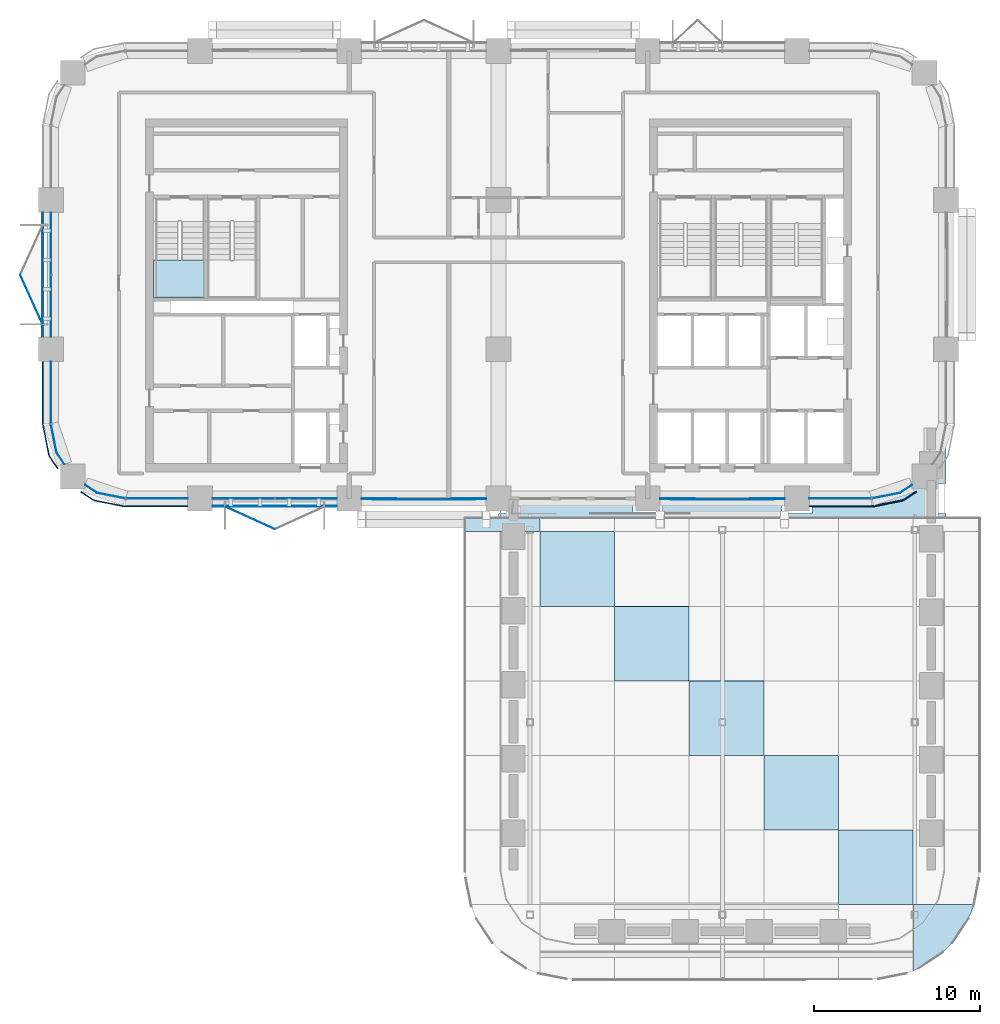
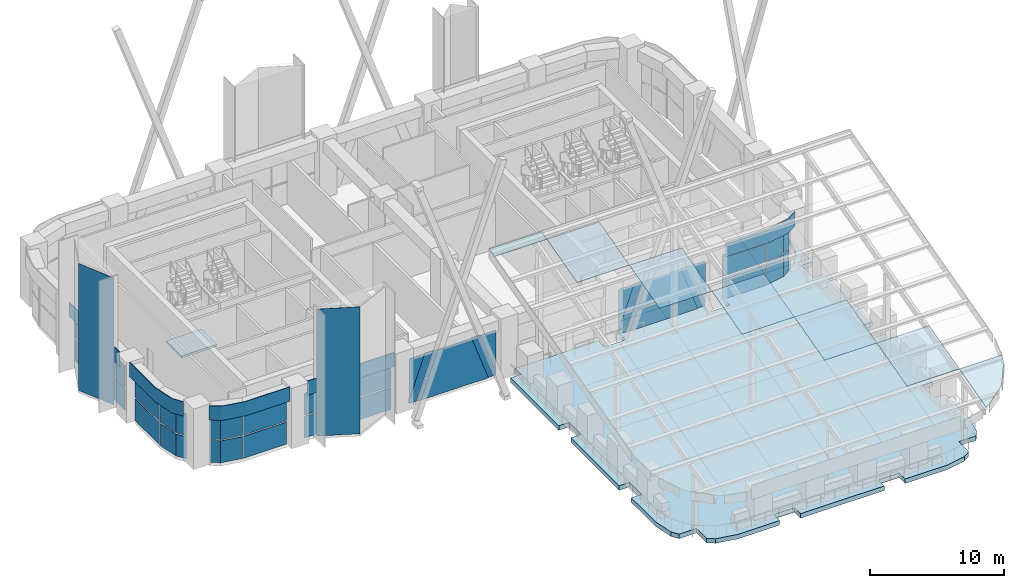
# One storey, part 10 of 22: 44 plates, 2 slabs, 8 elements without a shape of their own.
"""IFC4 building model written with IfcOpenShell, lengths in metres."""

from ifc_helpers import new_model, si_unit, direction, frame, origin, origin_2d, place, context, subcontext, project, spatial, polyline, rectangle, outline, extrude, material, layer, layer_set, type_object, element, aggregate, save


model = new_model("IFC4")

# Units and contexts
model_context = context("Model", 3, precision=1e-05, world=origin(), true_north=direction((0.0, 1.0)))
body_context = subcontext(model_context, "Body", "Model", "MODEL_VIEW")
ifc_project = project(units=[si_unit("LENGTHUNIT", "METRE"), si_unit("AREAUNIT", "SQUARE_METRE"), si_unit("VOLUMEUNIT", "CUBIC_METRE"), si_unit("PLANEANGLEUNIT", "RADIAN"), si_unit("MASSUNIT", "GRAM", prefix="KILO")], contexts=[model_context])

# Site, building, storey
site_placement = place(None, origin())
site = spatial("IfcSite", under=ifc_project, at=site_placement, CompositionType="ELEMENT")
building_placement = place(site_placement, origin())
building = spatial("IfcBuilding", under=site, at=building_placement, Name="Tessera Arch", CompositionType="ELEMENT")
storey_placement = place(building_placement, frame((0.0, 0.0, 129.39990234375)))
storey = spatial("IfcBuildingStorey", under=building, at=storey_placement, Name="L30", CompositionType="ELEMENT", Elevation=129.39990234375)

# Curtain wall, plates
ifc_material_1 = material(Name="CW1 curtain wall")
curtain_wall_type_1 = type_object("IfcCurtainWallType", Name="CW1 curtain wall", PredefinedType="NOTDEFINED", material=ifc_material_1)
curtain_wall_1_placement = place(storey_placement, origin())
curtain_wall_1 = element("IfcCurtainWall", 1, at=curtain_wall_1_placement, inside=storey, type_object=curtain_wall_type_1, Name="CW1 curtain wall W0.27/1 L30", PredefinedType="NOTDEFINED")
ifc_material_2 = material(Name="Clear low-e glass", Category="glass")
ifc_material_3 = material(Name="Clear low-e glass", Category="glass")
ifc_layer_1 = layer(ifc_material_3, 0.028076171875)
ifc_layer_set_1 = layer_set([ifc_layer_1], Name="CW1 glass panel")
plate_type_1 = type_object("IfcPlateType", Name="CW1 glass panel", PredefinedType="CURTAIN_PANEL", material=ifc_layer_set_1)
plate_1_placement = place(storey_placement, frame((0.0, 42.389892578125, 0.0), z_axis=(0.0, 0.0, 1.0), x_axis=(0.0, -1.0, 0.0)))
plate_1 = element("IfcPlate", 2, at=plate_1_placement, type_object=plate_type_1, material=ifc_material_2, Name="CW1 glass panel W0.27/1 1.1.1", PredefinedType="CURTAIN_PANEL", context=body_context, shape_type="SweptSolid", body=[
    extrude(rectangle(XDim=3.719970703125, YDim=0.028076171875, at=origin_2d()), origin(), (0.0, 0.0, 1.0), 2.0),
])
plate_2_placement = place(storey_placement, frame((0.0, 42.389892578125, 2.10009765625), z_axis=(0.0, 0.0, 1.0), x_axis=(0.0, -1.0, 0.0)))
plate_2 = element("IfcPlate", 3, at=plate_2_placement, type_object=plate_type_1, material=ifc_material_2, Name="CW1 glass panel W0.27/1 1.1.2", PredefinedType="CURTAIN_PANEL", context=body_context, shape_type="SweptSolid", body=[
    extrude(rectangle(XDim=3.719970703125, YDim=0.028076171875, at=origin_2d()), origin(), (0.0, 0.0, 1.0), 2.0),
])
plate_3_placement = place(storey_placement, frame((0.0, 38.610107421875, 0.0), z_axis=(0.0, 0.0, 1.0), x_axis=(0.0, -1.0, 0.0)))
plate_3 = element("IfcPlate", 4, at=plate_3_placement, type_object=plate_type_1, material=ifc_material_2, Name="CW1 glass panel W0.27/1 1.2.1", PredefinedType="CURTAIN_PANEL", context=body_context, shape_type="SweptSolid", body=[
    extrude(rectangle(XDim=3.719970703125, YDim=0.028076171875, at=origin_2d()), origin(), (0.0, 0.0, 1.0), 2.0),
])
plate_4_placement = place(storey_placement, frame((0.0, 38.610107421875, 2.10009765625), z_axis=(0.0, 0.0, 1.0), x_axis=(0.0, -1.0, 0.0)))
plate_4 = element("IfcPlate", 5, at=plate_4_placement, type_object=plate_type_1, material=ifc_material_2, Name="CW1 glass panel W0.27/1 1.2.2", PredefinedType="CURTAIN_PANEL", context=body_context, shape_type="SweptSolid", body=[
    extrude(rectangle(XDim=3.719970703125, YDim=0.028076171875, at=origin_2d()), origin(), (0.0, 0.0, 1.0), 2.0),
])

curtain_wall_2_placement = place(storey_placement, origin())
curtain_wall_2 = element("IfcCurtainWall", 6, at=curtain_wall_2_placement, inside=storey, type_object=curtain_wall_type_1, Name="CW1 curtain wall S27.0/1 L30", PredefinedType="NOTDEFINED")
plate_5_placement = place(storey_placement, frame((11.610107421875, 27.0, 0.0), z_axis=(0.0, 0.0, 1.0), x_axis=(1.0, 0.0, 0.0)))
plate_5 = element("IfcPlate", 7, at=plate_5_placement, type_object=plate_type_1, material=ifc_material_2, Name="CW1 glass panel S27.0/1 1.1.1", PredefinedType="CURTAIN_PANEL", context=body_context, shape_type="SweptSolid", body=[
    extrude(rectangle(XDim=3.719970703125, YDim=0.028076171875, at=origin_2d()), origin(), (0.0, 0.0, 1.0), 2.0),
])
plate_6_placement = place(storey_placement, frame((11.610107421875, 27.0, 2.10009765625), z_axis=(0.0, 0.0, 1.0), x_axis=(1.0, 0.0, 0.0)))
plate_6 = element("IfcPlate", 8, at=plate_6_placement, type_object=plate_type_1, material=ifc_material_2, Name="CW1 glass panel S27.0/1 1.1.2", PredefinedType="CURTAIN_PANEL", context=body_context, shape_type="SweptSolid", body=[
    extrude(rectangle(XDim=3.719970703125, YDim=0.028076171875, at=origin_2d()), origin(), (0.0, 0.0, 1.0), 2.0),
])
plate_7_placement = place(storey_placement, frame((15.389892578125, 27.0, 0.0), z_axis=(0.0, 0.0, 1.0), x_axis=(1.0, 0.0, 0.0)))
plate_7 = element("IfcPlate", 9, at=plate_7_placement, type_object=plate_type_1, material=ifc_material_2, Name="CW1 glass panel S27.0/1 1.2.1", PredefinedType="CURTAIN_PANEL", context=body_context, shape_type="SweptSolid", body=[
    extrude(rectangle(XDim=3.719970703125, YDim=0.028076171875, at=origin_2d()), origin(), (0.0, 0.0, 1.0), 2.0),
])
plate_8_placement = place(storey_placement, frame((15.389892578125, 27.0, 2.10009765625), z_axis=(0.0, 0.0, 1.0), x_axis=(1.0, 0.0, 0.0)))
plate_8 = element("IfcPlate", 10, at=plate_8_placement, type_object=plate_type_1, material=ifc_material_2, Name="CW1 glass panel S27.0/1 1.2.2", PredefinedType="CURTAIN_PANEL", context=body_context, shape_type="SweptSolid", body=[
    extrude(rectangle(XDim=3.719970703125, YDim=0.028076171875, at=origin_2d()), origin(), (0.0, 0.0, 1.0), 2.0),
])

# Plate
ifc_material_4 = material(Name="Pale anodised aluminium panel", Category="aluminium")
ifc_layer_2 = layer(ifc_material_4, 0.06005859375)
ifc_layer_set_2 = layer_set([ifc_layer_2], Name="CW1 spandrel panel")
plate_type_2 = type_object("IfcPlateType", Name="CW1 spandrel panel", PredefinedType="CURTAIN_PANEL", material=ifc_layer_set_2)
plate_9_placement = place(storey_placement, frame((-0.47998046875, 40.5, 4.2001953125), z_axis=(0.0, 0.0, 1.0), x_axis=(0.0, -1.0, 0.0)))
plate_9 = element("IfcPlate", 11, at=plate_9_placement, type_object=plate_type_2, Name="CW1 spandrel panel W0.27/1", PredefinedType="CURTAIN_PANEL", context=body_context, shape_type="SweptSolid", body=[
    extrude(rectangle(XDim=7.5, YDim=0.06005859375, at=origin_2d()), origin(), (0.0, 0.0, 1.0), 1.300048828125),
])

aggregate(curtain_wall_1, [plate_1, plate_2, plate_3, plate_4, plate_9])

plate_10_placement = place(storey_placement, frame((13.5, 26.52001953125, 4.2001953125), z_axis=(0.0, 0.0, 1.0), x_axis=(1.0, 0.0, 0.0)))
plate_10 = element("IfcPlate", 12, at=plate_10_placement, type_object=plate_type_2, Name="CW1 spandrel panel S27.0/1", PredefinedType="CURTAIN_PANEL", context=body_context, shape_type="SweptSolid", body=[
    extrude(rectangle(XDim=7.5, YDim=0.06005859375, at=origin_2d()), origin(), (0.0, 0.0, 1.0), 1.300048828125),
])

aggregate(curtain_wall_2, [plate_5, plate_6, plate_7, plate_8, plate_10])

# Curtain wall, plates
ifc_material_5 = material(Name="CW2 curtain wall")
curtain_wall_type_2 = type_object("IfcCurtainWallType", Name="CW2 curtain wall", PredefinedType="NOTDEFINED", material=ifc_material_5)
curtain_wall_3_placement = place(storey_placement, origin())
curtain_wall_3 = element("IfcCurtainWall", 13, at=curtain_wall_3_placement, inside=storey, type_object=curtain_wall_type_2, Name="CW2 curtain wall W0.27/2 L30", PredefinedType="NOTDEFINED")
ifc_material_6 = material(Name="Clear low-e glass", Category="glass")
ifc_layer_3 = layer(ifc_material_6, 0.028076171875)
ifc_layer_set_3 = layer_set([ifc_layer_3], Name="CW2 glass panel")
plate_type_3 = type_object("IfcPlateType", Name="CW2 glass panel", PredefinedType="CURTAIN_PANEL", material=ifc_layer_set_3)
plate_11_placement = place(storey_placement, frame((0.0, 33.39501953125, 0.0), z_axis=(0.0, 0.0, 1.0), x_axis=(0.0, -1.0, 0.0)))
plate_11 = element("IfcPlate", 14, at=plate_11_placement, type_object=plate_type_3, material=ifc_material_2, Name="CW2 glass panel W0.27/2 1.1", PredefinedType="CURTAIN_PANEL", context=body_context, shape_type="SweptSolid", body=[
    extrude(rectangle(XDim=3.7099609375, YDim=0.028076171875, at=origin_2d()), origin(), (0.0, 0.0, 1.0), 2.0),
])
plate_12_placement = place(storey_placement, origin())
plate_12 = element("IfcPlate", 15, at=plate_12_placement, type_object=plate_type_3, material=ifc_material_2, Name="CW2 curved glass panel W0.27/2 2.1", PredefinedType="CURTAIN_PANEL", context=body_context, shape_type="SweptSolid", body=[
    extrude(outline(polyline([(0.355712890625, 29.783447265625), (0.021484375, 31.46337890625), (-0.005859375, 31.4580078125), (0.329345703125, 29.7724609375), (0.80517578125, 29.060302734375), (0.82861328125, 29.07568359375), (0.355712890625, 29.783447265625)])), origin(), (0.0, 0.0, 1.0), 2.0),
])
plate_13_placement = place(storey_placement, frame((0.0, 33.39501953125, 2.10009765625), z_axis=(0.0, 0.0, 1.0), x_axis=(0.0, -1.0, 0.0)))
plate_13 = element("IfcPlate", 16, at=plate_13_placement, type_object=plate_type_3, material=ifc_material_2, Name="CW2 glass panel W0.27/2 1.2", PredefinedType="CURTAIN_PANEL", context=body_context, shape_type="SweptSolid", body=[
    extrude(rectangle(XDim=3.7099609375, YDim=0.028076171875, at=origin_2d()), origin(), (0.0, 0.0, 1.0), 2.0),
])
plate_14_placement = place(storey_placement, frame((0.0, 0.0, 2.10009765625)))
plate_14 = element("IfcPlate", 17, at=plate_14_placement, type_object=plate_type_3, material=ifc_material_2, Name="CW2 curved glass panel W0.27/2 2.2", PredefinedType="CURTAIN_PANEL", context=body_context, shape_type="SweptSolid", body=[
    extrude(outline(polyline([(0.355712890625, 29.783447265625), (0.021484375, 31.46337890625), (-0.005859375, 31.4580078125), (0.329345703125, 29.7724609375), (0.80517578125, 29.060302734375), (0.82861328125, 29.07568359375), (0.355712890625, 29.783447265625)])), origin(), (0.0, 0.0, 1.0), 2.0),
])

curtain_wall_4_placement = place(storey_placement, origin())
curtain_wall_4 = element("IfcCurtainWall", 18, at=curtain_wall_4_placement, inside=storey, type_object=curtain_wall_type_2, Name="CW2 curtain wall S27.0/0 L30", PredefinedType="NOTDEFINED")
plate_15_placement = place(storey_placement, frame((6.39501953125, 27.0, 0.0), z_axis=(0.0, 0.0, 1.0), x_axis=(1.0, 0.0, 0.0)))
plate_15 = element("IfcPlate", 19, at=plate_15_placement, type_object=plate_type_3, material=ifc_material_2, Name="CW2 glass panel S27.0/0 1.1", PredefinedType="CURTAIN_PANEL", context=body_context, shape_type="SweptSolid", body=[
    extrude(rectangle(XDim=3.7099609375, YDim=0.028076171875, at=origin_2d()), origin(), (0.0, 0.0, 1.0), 2.0),
])
plate_16_placement = place(storey_placement, origin())
plate_16 = element("IfcPlate", 20, at=plate_16_placement, type_object=plate_type_3, material=ifc_material_2, Name="CW2 curved glass panel S27.0/0 2.1", PredefinedType="CURTAIN_PANEL", context=body_context, shape_type="SweptSolid", body=[
    extrude(outline(polyline([(2.783447265625, 27.355712890625), (2.07568359375, 27.82861328125), (2.060302734375, 27.80517578125), (2.7724609375, 27.329345703125), (4.4580078125, 26.994140625), (4.46337890625, 27.021484375), (2.783447265625, 27.355712890625)])), origin(), (0.0, 0.0, 1.0), 2.0),
])
plate_17_placement = place(storey_placement, frame((6.39501953125, 27.0, 2.10009765625), z_axis=(0.0, 0.0, 1.0), x_axis=(1.0, 0.0, 0.0)))
plate_17 = element("IfcPlate", 21, at=plate_17_placement, type_object=plate_type_3, material=ifc_material_2, Name="CW2 glass panel S27.0/0 1.2", PredefinedType="CURTAIN_PANEL", context=body_context, shape_type="SweptSolid", body=[
    extrude(rectangle(XDim=3.7099609375, YDim=0.028076171875, at=origin_2d()), origin(), (0.0, 0.0, 1.0), 2.0),
])
plate_18_placement = place(storey_placement, frame((0.0, 0.0, 2.10009765625)))
plate_18 = element("IfcPlate", 22, at=plate_18_placement, type_object=plate_type_3, material=ifc_material_2, Name="CW2 curved glass panel S27.0/0 2.2", PredefinedType="CURTAIN_PANEL", context=body_context, shape_type="SweptSolid", body=[
    extrude(outline(polyline([(2.783447265625, 27.355712890625), (2.07568359375, 27.82861328125), (2.060302734375, 27.80517578125), (2.7724609375, 27.329345703125), (4.4580078125, 26.994140625), (4.46337890625, 27.021484375), (2.783447265625, 27.355712890625)])), origin(), (0.0, 0.0, 1.0), 2.0),
])

curtain_wall_5_placement = place(storey_placement, origin())
curtain_wall_5 = element("IfcCurtainWall", 23, at=curtain_wall_5_placement, inside=storey, type_object=curtain_wall_type_2, Name="CW2 curtain wall S27.0/5 L30", PredefinedType="NOTDEFINED")
plate_19_placement = place(storey_placement, frame((47.60498046875, 27.0, 0.0), z_axis=(0.0, 0.0, 1.0), x_axis=(1.0, 0.0, 0.0)))
plate_19 = element("IfcPlate", 24, at=plate_19_placement, type_object=plate_type_3, material=ifc_material_2, Name="CW2 glass panel S27.0/5 1.1", PredefinedType="CURTAIN_PANEL", context=body_context, shape_type="SweptSolid", body=[
    extrude(rectangle(XDim=3.7099609375, YDim=0.028076171875, at=origin_2d()), origin(), (0.0, 0.0, 1.0), 2.0),
])
plate_20_placement = place(storey_placement, origin())
plate_20 = element("IfcPlate", 25, at=plate_20_placement, type_object=plate_type_3, material=ifc_material_2, Name="CW2 curved glass panel S27.0/5 2.1", PredefinedType="CURTAIN_PANEL", context=body_context, shape_type="SweptSolid", body=[
    extrude(outline(polyline([(51.216552734375, 27.355712890625), (49.53662109375, 27.021484375), (49.5419921875, 26.994140625), (51.2275390625, 27.329345703125), (51.939697265625, 27.80517578125), (51.92431640625, 27.82861328125), (51.216552734375, 27.355712890625)])), origin(), (0.0, 0.0, 1.0), 2.0),
])
plate_21_placement = place(storey_placement, frame((47.60498046875, 27.0, 2.10009765625), z_axis=(0.0, 0.0, 1.0), x_axis=(1.0, 0.0, 0.0)))
plate_21 = element("IfcPlate", 26, at=plate_21_placement, type_object=plate_type_3, material=ifc_material_2, Name="CW2 glass panel S27.0/5 1.2", PredefinedType="CURTAIN_PANEL", context=body_context, shape_type="SweptSolid", body=[
    extrude(rectangle(XDim=3.7099609375, YDim=0.028076171875, at=origin_2d()), origin(), (0.0, 0.0, 1.0), 2.0),
])
plate_22_placement = place(storey_placement, frame((0.0, 0.0, 2.10009765625)))
plate_22 = element("IfcPlate", 27, at=plate_22_placement, type_object=plate_type_3, material=ifc_material_2, Name="CW2 curved glass panel S27.0/5 2.2", PredefinedType="CURTAIN_PANEL", context=body_context, shape_type="SweptSolid", body=[
    extrude(outline(polyline([(51.216552734375, 27.355712890625), (49.53662109375, 27.021484375), (49.5419921875, 26.994140625), (51.2275390625, 27.329345703125), (51.939697265625, 27.80517578125), (51.92431640625, 27.82861328125), (51.216552734375, 27.355712890625)])), origin(), (0.0, 0.0, 1.0), 2.0),
])

# Plate
ifc_material_7 = material(Name="Pale anodised aluminium panel", Category="aluminium")
ifc_layer_4 = layer(ifc_material_7, 0.06005859375)
ifc_layer_set_4 = layer_set([ifc_layer_4], Name="CW2 spandrel panel")
plate_type_4 = type_object("IfcPlateType", Name="CW2 spandrel panel", PredefinedType="CURTAIN_PANEL", material=ifc_layer_set_4)
plate_23_placement = place(storey_placement, frame((0.0, 0.0, 4.2001953125)))
plate_23 = element("IfcPlate", 28, at=plate_23_placement, type_object=plate_type_4, Name="CW2 spandrel panel W0.27/2", PredefinedType="CURTAIN_PANEL", context=body_context, shape_type="SweptSolid", body=[
    extrude(outline(polyline([(-0.449951171875, 31.500732421875), (-0.449951171875, 35.25), (-0.510009765625, 35.25), (-0.510009765625, 31.499267578125), (-0.507568359375, 31.449951171875), (-0.500244140625, 31.401123046875), (-0.157470703125, 29.677734375), (-0.1455078125, 29.6298828125), (-0.128662109375, 29.582763671875), (-0.107421875, 29.537353515625), (-0.08203125, 29.4951171875), (0.392822265625, 28.78466796875), (0.44287109375, 28.81787109375), (-0.03125, 29.52734375), (-0.054443359375, 29.565673828125), (-0.0732421875, 29.605712890625), (-0.088134765625, 29.647216796875), (-0.09912109375, 29.69091796875), (-0.441162109375, 31.411376953125), (-0.44775390625, 31.455810546875), (-0.449951171875, 31.500732421875)])), origin(), (0.0, 0.0, 1.0), 1.2998046875),
])

aggregate(curtain_wall_3, [plate_11, plate_12, plate_13, plate_14, plate_23])

plate_24_placement = place(storey_placement, frame((0.0, 0.0, 4.2001953125)))
plate_24 = element("IfcPlate", 29, at=plate_24_placement, type_object=plate_type_4, Name="CW2 spandrel panel S27.0/0", PredefinedType="CURTAIN_PANEL", context=body_context, shape_type="SweptSolid", body=[
    extrude(outline(polyline([(2.52734375, 26.96875), (1.81787109375, 27.44287109375), (1.78466796875, 27.392822265625), (2.4951171875, 26.91796875), (2.537353515625, 26.892578125), (2.582763671875, 26.871337890625), (2.6298828125, 26.8544921875), (2.677734375, 26.842529296875), (4.401123046875, 26.499755859375), (4.449951171875, 26.492431640625), (4.499267578125, 26.489990234375), (8.25, 26.489990234375), (8.25, 26.550048828125), (4.500732421875, 26.550048828125), (4.455810546875, 26.55224609375), (4.411376953125, 26.558837890625), (2.69091796875, 26.90087890625), (2.647216796875, 26.911865234375), (2.605712890625, 26.9267578125), (2.565673828125, 26.945556640625), (2.52734375, 26.96875)])), origin(), (0.0, 0.0, 1.0), 1.2998046875),
])

aggregate(curtain_wall_4, [plate_15, plate_16, plate_17, plate_18, plate_24])

plate_25_placement = place(storey_placement, frame((0.0, 0.0, 4.2001953125)))
plate_25 = element("IfcPlate", 30, at=plate_25_placement, type_object=plate_type_4, Name="CW2 spandrel panel S27.0/5", PredefinedType="CURTAIN_PANEL", context=body_context, shape_type="SweptSolid", body=[
    extrude(outline(polyline([(49.499267578125, 26.550048828125), (45.75, 26.550048828125), (45.75, 26.489990234375), (49.500732421875, 26.489990234375), (49.550048828125, 26.492431640625), (49.598876953125, 26.499755859375), (51.322265625, 26.842529296875), (51.3701171875, 26.8544921875), (51.417236328125, 26.871337890625), (51.462646484375, 26.892578125), (51.5048828125, 26.91796875), (52.21533203125, 27.392822265625), (52.18212890625, 27.44287109375), (51.47265625, 26.96875), (51.434326171875, 26.945556640625), (51.394287109375, 26.9267578125), (51.352783203125, 26.911865234375), (51.30908203125, 26.90087890625), (49.588623046875, 26.558837890625), (49.544189453125, 26.55224609375), (49.499267578125, 26.550048828125)])), origin(), (0.0, 0.0, 1.0), 1.2998046875),
])

aggregate(curtain_wall_5, [plate_19, plate_20, plate_21, plate_22, plate_25])

# Curtain wall, plates
ifc_material_8 = material(Name="CW3 curtain wall")
curtain_wall_type_3 = type_object("IfcCurtainWallType", Name="CW3 curtain wall", PredefinedType="NOTDEFINED", material=ifc_material_8)
curtain_wall_6_placement = place(storey_placement, origin())
curtain_wall_6 = element("IfcCurtainWall", 31, at=curtain_wall_6_placement, inside=storey, type_object=curtain_wall_type_3, Name="CW3 curtain wall S27.0/2 L30", PredefinedType="NOTDEFINED")
ifc_material_9 = material(Name="Pale anodised aluminium panel", Category="aluminium")
ifc_layer_5 = layer(ifc_material_9, 0.06005859375)
ifc_layer_set_5 = layer_set([ifc_layer_5], Name="CW3 diagonal panel")
plate_type_5 = type_object("IfcPlateType", Name="CW3 diagonal panel", PredefinedType="CURTAIN_PANEL", material=ifc_layer_set_5)
plate_26_placement = place(storey_placement, frame((26.25, 26.969970703125, 0.0), z_axis=(0.0, -1.0, 0.0), x_axis=(0.0, 0.0, 1.0)))
plate_26 = element("IfcPlate", 32, at=plate_26_placement, type_object=plate_type_5, Name="CW3 diagonal panel S27.0/2 1", PredefinedType="CURTAIN_PANEL", context=body_context, shape_type="SweptSolid", body=[
    extrude(outline(polyline([(0.0, 0.0), (0.277099609375, 0.0), (4.10009765625, 1.35888671875), (4.10009765625, 2.12451171875), (0.0, 0.667236328125), (0.0, 0.0)])), origin(), (0.0, 0.0, -1.0), 0.06005859375),
])
plate_27_placement = place(storey_placement, frame((20.87451171875, 26.969970703125, 4.10009765625), z_axis=(0.0, -1.0, 0.0), x_axis=(-1.0, 0.0, 0.0)))
plate_27 = element("IfcPlate", 33, at=plate_27_placement, type_object=plate_type_5, Name="CW3 diagonal panel S27.0/2 2", PredefinedType="CURTAIN_PANEL", context=body_context, shape_type="SweptSolid", body=[
    extrude(outline(polyline([(0.0, 0.0), (0.765625, 0.0), (2.12451171875, 3.822998046875), (2.12451171875, 4.10009765625), (1.457275390625, 4.10009765625), (0.0, 0.0)])), origin(), (0.0, 0.0, -1.0), 0.06005859375),
])

curtain_wall_7_placement = place(storey_placement, origin())
curtain_wall_7 = element("IfcCurtainWall", 34, at=curtain_wall_7_placement, inside=storey, type_object=curtain_wall_type_3, Name="CW3 curtain wall S27.0/4 L30", PredefinedType="NOTDEFINED")
plate_28_placement = place(storey_placement, frame((44.25, 26.969970703125, 0.0), z_axis=(0.0, -1.0, 0.0), x_axis=(0.0, 0.0, 1.0)))
plate_28 = element("IfcPlate", 35, at=plate_28_placement, type_object=plate_type_5, Name="CW3 diagonal panel S27.0/4 1", PredefinedType="CURTAIN_PANEL", context=body_context, shape_type="SweptSolid", body=[
    extrude(outline(polyline([(0.0, 0.0), (0.277099609375, 0.0), (4.10009765625, 1.35888671875), (4.10009765625, 2.12451171875), (0.0, 0.667236328125), (0.0, 0.0)])), origin(), (0.0, 0.0, -1.0), 0.06005859375),
])
plate_29_placement = place(storey_placement, frame((38.87451171875, 26.969970703125, 4.10009765625), z_axis=(0.0, -1.0, 0.0), x_axis=(-1.0, 0.0, 0.0)))
plate_29 = element("IfcPlate", 36, at=plate_29_placement, type_object=plate_type_5, Name="CW3 diagonal panel S27.0/4 2", PredefinedType="CURTAIN_PANEL", context=body_context, shape_type="SweptSolid", body=[
    extrude(outline(polyline([(0.0, 0.0), (0.765625, 0.0), (2.12451171875, 3.822998046875), (2.12451171875, 4.10009765625), (1.457275390625, 4.10009765625), (0.0, 0.0)])), origin(), (0.0, 0.0, -1.0), 0.06005859375),
])

# Plate
ifc_material_10 = material(Name="Clear low-e glass", Category="glass")
ifc_layer_6 = layer(ifc_material_10, 0.028076171875)
ifc_layer_set_6 = layer_set([ifc_layer_6], Name="CW3 glass panel")
plate_type_6 = type_object("IfcPlateType", Name="CW3 glass panel", PredefinedType="CURTAIN_PANEL", material=ifc_layer_set_6)
plate_30_placement = place(storey_placement, frame((18.75, 26.94189453125, 4.10009765625), z_axis=(0.0, -1.0, 0.0), x_axis=(0.0, 0.0, -1.0)))
plate_30 = element("IfcPlate", 37, at=plate_30_placement, type_object=plate_type_6, material=ifc_material_2, Name="CW3 triangulated glass panel S27.0/2 1", PredefinedType="CURTAIN_PANEL", context=body_context, shape_type="SweptSolid", body=[
    extrude(outline(polyline([(0.0, 0.0), (3.822998046875, 0.0), (0.0, 1.35888671875), (0.0, 0.0)])), origin(), (0.0, 0.0, -1.0), 0.028076171875),
])

plate_31_placement = place(storey_placement, frame((24.12548828125, 26.9140625, 4.10009765625), z_axis=(0.0, -1.0, 0.0), x_axis=(-1.0, 0.0, 0.0)))
plate_31 = element("IfcPlate", 38, at=plate_31_placement, type_object=plate_type_6, material=ifc_material_2, Name="CW3 triangulated glass panel S27.0/2 2", PredefinedType="CURTAIN_PANEL", context=body_context, shape_type="SweptSolid", body=[
    extrude(outline(polyline([(0.0, 0.0), (3.2509765625, 0.0), (4.708251953125, 4.10009765625), (-1.457275390625, 4.10009765625), (0.0, 0.0)])), origin(), (0.0, 0.0, -1.0), 0.028076171875),
])

plate_32_placement = place(storey_placement, frame((26.25, 26.94189453125, 4.10009765625), z_axis=(0.0, -1.0, 0.0), x_axis=(-1.0, 0.0, 0.0)))
plate_32 = element("IfcPlate", 39, at=plate_32_placement, type_object=plate_type_6, material=ifc_material_2, Name="CW3 triangulated glass panel S27.0/2 3", PredefinedType="CURTAIN_PANEL", context=body_context, shape_type="SweptSolid", body=[
    extrude(outline(polyline([(0.0, 0.0), (1.35888671875, 0.0), (0.0, 3.822998046875), (0.0, 0.0)])), origin(), (0.0, 0.0, -1.0), 0.028076171875),
])

aggregate(curtain_wall_6, [plate_30, plate_31, plate_32, plate_26, plate_27])

plate_33_placement = place(storey_placement, frame((36.75, 26.94189453125, 4.10009765625), z_axis=(0.0, -1.0, 0.0), x_axis=(0.0, 0.0, -1.0)))
plate_33 = element("IfcPlate", 40, at=plate_33_placement, type_object=plate_type_6, material=ifc_material_2, Name="CW3 triangulated glass panel S27.0/4 1", PredefinedType="CURTAIN_PANEL", context=body_context, shape_type="SweptSolid", body=[
    extrude(outline(polyline([(0.0, 0.0), (3.822998046875, 0.0), (0.0, 1.35888671875), (0.0, 0.0)])), origin(), (0.0, 0.0, -1.0), 0.028076171875),
])

plate_34_placement = place(storey_placement, frame((42.12548828125, 26.9140625, 4.10009765625), z_axis=(0.0, -1.0, 0.0), x_axis=(-1.0, 0.0, 0.0)))
plate_34 = element("IfcPlate", 41, at=plate_34_placement, type_object=plate_type_6, material=ifc_material_2, Name="CW3 triangulated glass panel S27.0/4 2", PredefinedType="CURTAIN_PANEL", context=body_context, shape_type="SweptSolid", body=[
    extrude(outline(polyline([(0.0, 0.0), (3.2509765625, 0.0), (4.708251953125, 4.10009765625), (-1.457275390625, 4.10009765625), (0.0, 0.0)])), origin(), (0.0, 0.0, -1.0), 0.028076171875),
])

plate_35_placement = place(storey_placement, frame((44.25, 26.94189453125, 4.10009765625), z_axis=(0.0, -1.0, 0.0), x_axis=(-1.0, 0.0, 0.0)))
plate_35 = element("IfcPlate", 42, at=plate_35_placement, type_object=plate_type_6, material=ifc_material_2, Name="CW3 triangulated glass panel S27.0/4 3", PredefinedType="CURTAIN_PANEL", context=body_context, shape_type="SweptSolid", body=[
    extrude(outline(polyline([(0.0, 0.0), (1.35888671875, 0.0), (0.0, 3.822998046875), (0.0, 0.0)])), origin(), (0.0, 0.0, -1.0), 0.028076171875),
])

aggregate(curtain_wall_7, [plate_33, plate_34, plate_35, plate_28, plate_29])

# Plates
ifc_material_11 = material(Name="Clear low-e laminated glass", Category="glass")
ifc_layer_7 = layer(ifc_material_11, 0.0439453125)
ifc_layer_set_7 = layer_set([ifc_layer_7], Name="Canopy panel clear glass")
plate_type_7 = type_object("IfcPlateType", Name="Canopy panel clear glass", PredefinedType="SHEET", material=ifc_layer_set_7)
plate_36_placement = place(storey_placement, frame((25.0, 25.0, 12.398681640625), z_axis=(0.0, -0.258799930484, 0.965930947833), x_axis=(1.0, 0.0, 0.0)))
element("IfcPlate", 43, at=plate_36_placement, inside=storey, type_object=plate_type_7, Name="CANOPY T3 panel 1-7", PredefinedType="SHEET", context=body_context, shape_type="SweptSolid", body=[
    extrude(outline(polyline([(0.0, 0.0), (4.5, 0.0), (4.5, 0.8282671032747939), (0.0, 0.8282671032747939), (0.0, 0.0)])), origin(), (0.0, 0.0, -1.0), 0.0439453125),
])
plate_37_placement = place(storey_placement, frame((34.0, 20.5, 11.193115234375), z_axis=(0.0, -0.258777996848, 0.965936824201), x_axis=(0.0, 0.965936824201, 0.258777996848)))
element("IfcPlate", 44, at=plate_37_placement, inside=storey, type_object=plate_type_7, Name="CANOPY T3 panel 2-6", PredefinedType="SHEET", context=body_context, shape_type="SweptSolid", body=[
    extrude(outline(polyline([(0.0, 0.0), (4.658689768580706, 0.0), (4.658689768580706, 4.5), (0.0, 4.5), (0.0, 0.0)])), origin(), (0.0, 0.0, -1.0), 0.0439453125),
])
for number, where, z_axis, x_axis, name in (
    (45, (38.5, 16.0, 9.9873046875), (0.0, -0.258826891896, 0.965923723713), (0.0, 0.965923723713, 0.258826891896), "CANOPY T3 panel 3-5"),
    (46, (43.0, 11.5, 8.781494140625), (0.0, -0.258826891896, 0.965923723713), (0.0, 0.965923723713, 0.258826891896), "CANOPY T3 panel 4-4"),
    (47, (47.5, 7.0, 7.57568359375), (0.0, -0.258826891896, 0.965923723713), (0.0, 0.965923723713, 0.258826891896), "CANOPY T3 panel 5-3"),
    (48, (52.0, 2.5, 6.369873046875), (0.0, -0.258826891896, 0.965923723713), (0.0, 0.965923723713, 0.258826891896), "CANOPY T3 panel 6-2"),
):
    element("IfcPlate", number, at=place(storey_placement, frame(where, z_axis=z_axis, x_axis=x_axis)), inside=storey, type_object=plate_type_7, Name=name, PredefinedType="SHEET", context=body_context, shape_type="SweptSolid", body=[
        extrude(outline(polyline([(0.0, 0.0), (4.658752952771266, 0.0), (4.658752952771266, 4.500000000000001), (0.0, 4.500000000000001), (0.0, 0.0)])), origin(), (0.0, 0.0, -1.0), 0.0439453125),
    ])
plate_38_placement = place(storey_placement, frame((52.0, 2.5, 6.369873046875), z_axis=(3.441698e-06, -0.258824509657, 0.965924362043), x_axis=(-4.5e-11, -0.965924362049, -0.258824509659)))
element("IfcPlate", 49, at=plate_38_placement, inside=storey, type_object=plate_type_7, Name="CANOPY T3 panel 7-1", PredefinedType="SHEET", context=body_context, shape_type="SweptSolid", body=[
    extrude(outline(polyline([(0.0, 0.0), (4.138316089771093, -4.235164736271502e-22), (4.104677021774336, 0.0778808590792433), (4.008918572378741, 0.25122070327435725), (3.9540803379694585, 0.3349609377651056), (2.946374037169664, 1.7915039067347542), (2.887210891456028, 1.872558593989343), (2.7582850168231032, 2.024169921829353), (2.6139630049252105, 2.1638183593239653), (2.4562578059372053, 2.2888183594817035), (2.3723412362178347, 2.3459472656960214), (0.8643907637788567, 3.3193359371892592), (0.7784612438849631, 3.3718261716450963), (0.5982513924437762, 3.4648437498036504), (0.4096907293494447, 3.540283202834117), (0.21432056202181785, 3.597656249804946), (-1.6526064672922103e-10, 3.6413574218534337), (0.0, 0.0)])), origin(), (0.0, 0.0, -1.0), 0.0439453125),
])

# Stair, slab
ifc_material_12 = material(Name="Concrete C40/50", Category="concrete")
stair_type = type_object("IfcStairType", Name="Dogleg stair 1400", PredefinedType="HALF_TURN_STAIR", material=ifc_material_12)
stair_placement = place(storey_placement, origin())
stair = element("IfcStair", 50, at=stair_placement, inside=storey, type_object=stair_type, Name="L30 S2a", PredefinedType="HALF_TURN_STAIR")
ifc_material_13 = material(Name="Concrete C40/50", Category="concrete")
ifc_layer_8 = layer(ifc_material_13, 0.300048828125)
ifc_layer_set_8 = layer_set([ifc_layer_8], Name="Stair landing 300")
slab_type_1 = type_object("IfcSlabType", Name="Stair landing 300", PredefinedType="LANDING", material=ifc_layer_set_8)
slab_1_placement = place(storey_placement, frame((0.0, 0.0, 1.175048828125)))
slab_1 = element("IfcSlab", 51, at=slab_1_placement, type_object=slab_type_1, Name="S2a landing 1", PredefinedType="LANDING", context=body_context, shape_type="SweptSolid", body=[
    extrude(outline(polyline([(6.199951171875, 41.389892578125), (6.199951171875, 39.10009765625), (9.25, 39.10009765625), (9.25, 41.389892578125), (6.199951171875, 41.389892578125)])), origin(), (0.0, 0.0, 1.0), 0.199951171875),
])
aggregate(stair, [slab_1])

# Slab
ifc_material_14 = material(Name="Concrete C40/50", Category="concrete")
ifc_layer_9 = layer(ifc_material_14, 0.409912109375)
ifc_layer_set_9 = layer_set([ifc_layer_9], Name="Terrace slab 410 Concrete C40/50")
slab_type_2 = type_object("IfcSlabType", Name="Terrace slab 410 Concrete C40/50", PredefinedType="ROOF", material=ifc_layer_set_9)
slab_2_placement = place(storey_placement, frame((0.0, 0.0, -0.409912109375)))
element("IfcSlab", 52, at=slab_2_placement, inside=storey, type_object=slab_type_2, Name="Terrace slab L30 1.1", PredefinedType="ROOF", context=body_context, shape_type="SweptSolid", body=[
    extrude(outline(polyline([(51.22216796875, 27.3427734375), (52.681884765625, 28.31787109375), (52.681884765625, 28.318115234375), (52.68212890625, 28.318115234375), (53.6572265625, 29.77783203125), (53.657470703125, 29.77783203125), (53.657470703125, 29.778076171875), (53.980224609375, 31.400390625), (53.98046875, 31.4013671875), (53.980712890625, 31.40234375), (53.981201171875, 31.403076171875), (53.981689453125, 31.404052734375), (53.982177734375, 31.40478515625), (53.98291015625, 31.405517578125), (53.983642578125, 31.40625), (53.984375, 31.40673828125), (53.9853515625, 31.4072265625), (53.986083984375, 31.40771484375), (53.987060546875, 31.407958984375), (53.988037109375, 31.408203125), (53.989013671875, 31.408447265625), (53.989990234375, 31.408447265625), (53.990966796875, 31.408447265625), (53.991943359375, 31.408203125), (53.992919921875, 31.407958984375), (53.993896484375, 31.40771484375), (53.99462890625, 31.4072265625), (53.99560546875, 31.40673828125), (53.996337890625, 31.40625), (53.9970703125, 31.405517578125), (53.997802734375, 31.40478515625), (53.998291015625, 31.404052734375), (53.998779296875, 31.403076171875), (53.999267578125, 31.40234375), (53.99951171875, 31.4013671875), (53.999755859375, 31.400390625), (54.0, 31.3994140625), (54.0, 31.3984375), (54.0, 27.89990234375), (53.10009765625, 27.89990234375), (53.10009765625, 26.10009765625), (54.0, 26.10009765625), (54.0, 18.89990234375), (53.10009765625, 18.89990234375), (53.10009765625, 17.10009765625), (54.0, 17.10009765625), (54.0, 9.89990234375), (53.10009765625, 9.89990234375), (53.10009765625, 8.10009765625), (54.0, 8.10009765625), (54.0, 4.5009765625), (54.0, 4.5), (53.999755859375, 4.4990234375), (53.657958984375, 2.77978515625), (53.65771484375, 2.77880859375), (53.6572265625, 2.778076171875), (53.65673828125, 2.777099609375), (53.65625, 2.7763671875), (53.283447265625, 2.218017578125), (51.781982421875, 2.218017578125), (51.781982421875, 0.716552734375), (51.2236328125, 0.34375), (51.222900390625, 0.34326171875), (51.221923828125, 0.3427734375), (51.22119140625, 0.34228515625), (51.22021484375, 0.342041015625), (49.5009765625, 0.000244140625), (49.5, 0.0), (49.4990234375, 0.0), (45.89990234375, 0.0), (45.89990234375, 0.89990234375), (44.10009765625, 0.89990234375), (44.10009765625, 0.0), (36.89990234375, 0.0), (36.89990234375, 0.89990234375), (35.10009765625, 0.89990234375), (35.10009765625, 0.0), (31.5009765625, 0.0), (31.5, 0.0), (31.4990234375, 0.000244140625), (29.77978515625, 0.342041015625), (29.77880859375, 0.34228515625), (29.778076171875, 0.3427734375), (29.777099609375, 0.34326171875), (29.7763671875, 0.34375), (29.218017578125, 0.716552734375), (29.218017578125, 2.218017578125), (27.716552734375, 2.218017578125), (27.34375, 2.7763671875), (27.34326171875, 2.777099609375), (27.3427734375, 2.778076171875), (27.34228515625, 2.77880859375), (27.342041015625, 2.77978515625), (27.000244140625, 4.4990234375), (27.0, 4.5), (27.0, 4.5009765625), (27.0, 8.10009765625), (27.89990234375, 8.10009765625), (27.89990234375, 9.89990234375), (27.0, 9.89990234375), (27.0, 17.10009765625), (27.89990234375, 17.10009765625), (27.89990234375, 18.89990234375), (27.0, 18.89990234375), (27.0, 26.10009765625), (27.89990234375, 26.10009765625), (27.89990234375, 27.0), (35.10009765625, 27.0), (35.10009765625, 26.10009765625), (36.89990234375, 26.10009765625), (36.89990234375, 27.0), (44.10009765625, 27.0), (44.10009765625, 26.10009765625), (45.89990234375, 26.10009765625), (45.89990234375, 27.0), (49.499755859375, 27.0), (49.5, 27.0), (49.500244140625, 27.0), (51.221923828125, 27.342529296875), (51.22216796875, 27.342529296875), (51.22216796875, 27.3427734375)])), origin(), (0.0, 0.0, 1.0), 0.409912109375),
])

# Plates
ifc_material_15 = material(Name="Clear low-e glass", Category="glass")
ifc_layer_10 = layer(ifc_material_15, 0.028076171875)
ifc_layer_set_10 = layer_set([ifc_layer_10], Name="Window box glass facet")
plate_type_8 = type_object("IfcPlateType", Name="Window box glass facet", PredefinedType="SHEET", material=ifc_layer_set_10)
for number, where, z_axis, x_axis, name in (
    (53, (12.02490234375, 25.820068359375, 0.219970703125), (0.0, 0.0, 1.0), (0.910472144558, -0.413570397858, 0.0), "Window box S27.0/1.0 2x3 glass"),
    (54, (-1.179931640625, 39.02490234375, 0.219970703125), (0.0, 0.0, 1.0), (-0.413570397858, 0.910472144558, 0.0), "Window box W0.27/1.0 2x3 glass"),
):
    element("IfcPlate", number, at=place(storey_placement, frame(where, z_axis=z_axis, x_axis=x_axis)), inside=storey, type_object=plate_type_8, Name=name, PredefinedType="SHEET", context=body_context, shape_type="SweptSolid", body=[
        extrude(rectangle(XDim=3.239990234375, YDim=0.028076171875, at=origin_2d()), origin(), (0.0, 0.0, 1.0), 11.56005859375),
    ])

save(model, "model.ifc")
